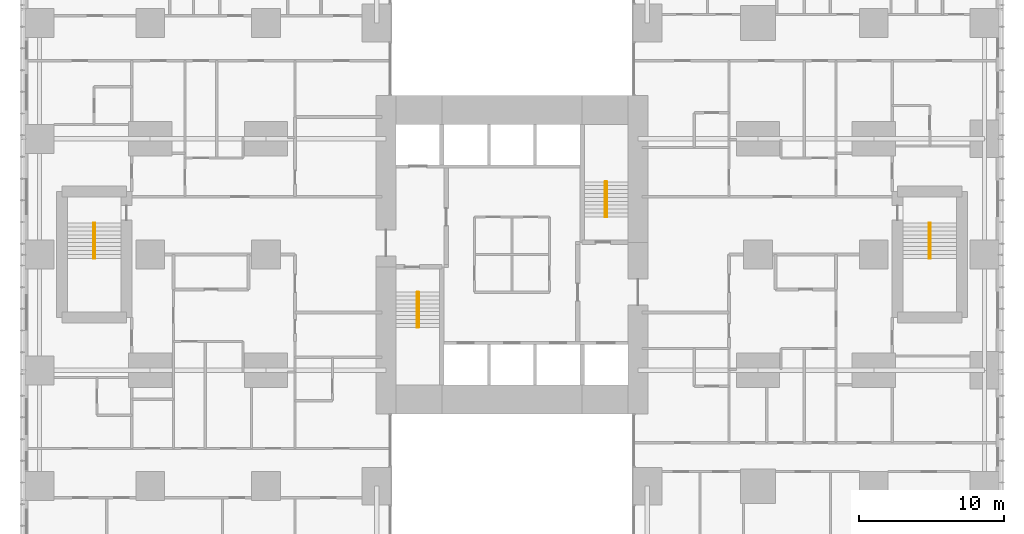
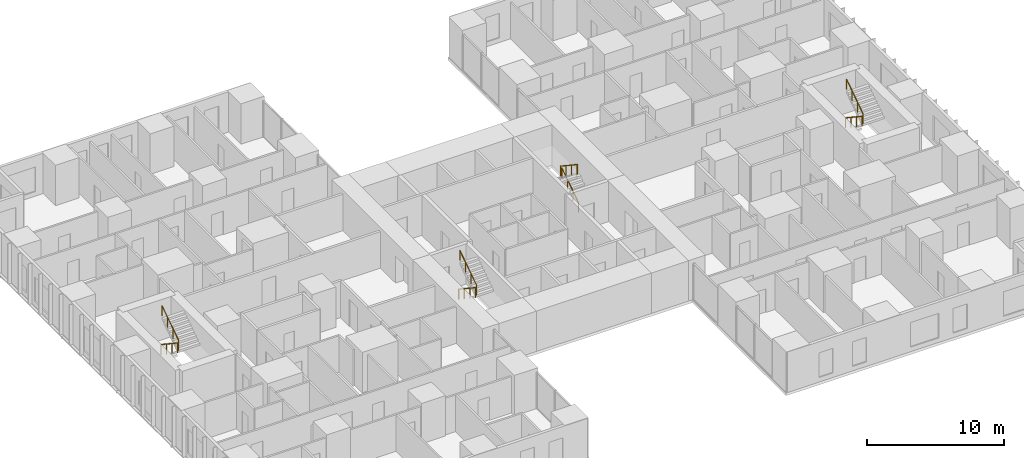
# One storey, part 20 of 20: 8 railings.
"""IFC4 building model written with IfcOpenShell, lengths in metres."""

from ifc_helpers import new_model, si_unit, direction, frame, origin, origin_2d, place, context, subcontext, project, spatial, circle, extrude, material, type_object, element, save


model = new_model("IFC4")

# Units and contexts
model_context = context("Model", 3, precision=1e-05, world=origin(), true_north=direction((0.0, 1.0)))
body_context = subcontext(model_context, "Body", "Model", "MODEL_VIEW")
ifc_project = project(units=[si_unit("LENGTHUNIT", "METRE"), si_unit("AREAUNIT", "SQUARE_METRE"), si_unit("VOLUMEUNIT", "CUBIC_METRE"), si_unit("PLANEANGLEUNIT", "RADIAN"), si_unit("MASSUNIT", "GRAM", prefix="KILO")], contexts=[model_context])

# Site, building, storey
site_placement = place(None, origin())
site = spatial("IfcSite", under=ifc_project, at=site_placement, CompositionType="ELEMENT")
building_placement = place(site_placement, origin())
building = spatial("IfcBuilding", under=site, at=building_placement, Name="Cleftline Residences", CompositionType="ELEMENT")
storey_placement = place(building_placement, frame((0.0, 0.0, 168.199951171875)))
storey = spatial("IfcBuildingStorey", under=building, at=storey_placement, Name="L44", CompositionType="ELEMENT", Elevation=168.199951171875)

# Railings
ifc_material = material(Name="Stainless steel", Category="steel")
railing_type = type_object("IfcRailingType", Name="HANDRAIL 900", PredefinedType="HANDRAIL", material=ifc_material)
railing_1_placement = place(storey_placement, frame((26.449951171875, 21.39990234375, 0.179931640625)))
element("IfcRailing", 1, at=railing_1_placement, inside=storey, type_object=railing_type, Name="Stair handrail", PredefinedType="HANDRAIL", context=body_context, shape_type="SweptSolid", body=[
    extrude(circle(Radius=0.02392578125, at=origin_2d()), frame((0.0, 0.0, 0.8759765625), z_axis=(0.0, -0.832024571796, 0.554738778101), x_axis=(1.0, 0.0, 0.0)), (0.0, 0.0, 1.0), 2.92041015625),
    extrude(circle(Radius=0.02099609375, at=origin_2d()), origin(), (0.0, 0.0, 1.0), 0.851806640625),
    extrude(circle(Radius=0.02099609375, at=origin_2d()), frame((0.0, -0.81005859375, 0.5400390625)), (0.0, 0.0, 1.0), 0.851806640625),
    extrude(circle(Radius=0.02099609375, at=origin_2d()), frame((0.0, -1.619873046875, 1.080078125)), (0.0, 0.0, 1.0), 0.851806640625),
    extrude(circle(Radius=0.02099609375, at=origin_2d()), frame((0.0, -2.429931640625, 1.6201171875)), (0.0, 0.0, 1.0), 0.851806640625),
])
for number, where, name in (
    (2, (26.550048828125, 18.969970703125, 1.97998046875), "Stair handrail"),
    (3, (39.550048828125, 26.60009765625, 0.179931640625), "Stair handrail"),
):
    element("IfcRailing", number, at=place(storey_placement, frame(where)), inside=storey, type_object=railing_type, Name=name, PredefinedType="HANDRAIL", context=body_context, shape_type="SweptSolid", body=[
        extrude(circle(Radius=0.02392578125, at=origin_2d()), frame((0.0, 0.0, 0.8759765625), z_axis=(0.0, 0.832024571796, 0.554738778101), x_axis=(-1.0, 0.0, 0.0)), (0.0, 0.0, 1.0), 2.92041015625),
        extrude(circle(Radius=0.02099609375, at=origin_2d()), origin(), (0.0, 0.0, 1.0), 0.851806640625),
        extrude(circle(Radius=0.02099609375, at=origin_2d()), frame((0.0, 0.81005859375, 0.5400390625)), (0.0, 0.0, 1.0), 0.851806640625),
        extrude(circle(Radius=0.02099609375, at=origin_2d()), frame((0.0, 1.619873046875, 1.080078125)), (0.0, 0.0, 1.0), 0.851806640625),
        extrude(circle(Radius=0.02099609375, at=origin_2d()), frame((0.0, 2.429931640625, 1.6201171875)), (0.0, 0.0, 1.0), 0.851806640625),
    ])
for number, where, name in (
    (4, (39.449951171875, 29.030029296875, 1.97998046875), "Stair handrail"),
    (5, (61.824951171875, 26.175048828125, 0.179931640625), "Stair handrail"),
):
    element("IfcRailing", number, at=place(storey_placement, frame(where)), inside=storey, type_object=railing_type, Name=name, PredefinedType="HANDRAIL", context=body_context, shape_type="SweptSolid", body=[
        extrude(circle(Radius=0.02392578125, at=origin_2d()), frame((0.0, 0.0, 0.8759765625), z_axis=(0.0, -0.832024571796, 0.554738778101), x_axis=(1.0, 0.0, 0.0)), (0.0, 0.0, 1.0), 2.92041015625),
        extrude(circle(Radius=0.02099609375, at=origin_2d()), origin(), (0.0, 0.0, 1.0), 0.851806640625),
        extrude(circle(Radius=0.02099609375, at=origin_2d()), frame((0.0, -0.81005859375, 0.5400390625)), (0.0, 0.0, 1.0), 0.851806640625),
        extrude(circle(Radius=0.02099609375, at=origin_2d()), frame((0.0, -1.619873046875, 1.080078125)), (0.0, 0.0, 1.0), 0.851806640625),
        extrude(circle(Radius=0.02099609375, at=origin_2d()), frame((0.0, -2.429931640625, 1.6201171875)), (0.0, 0.0, 1.0), 0.851806640625),
    ])
railing_2_placement = place(storey_placement, frame((61.925048828125, 23.7451171875, 1.97998046875)))
element("IfcRailing", 6, at=railing_2_placement, inside=storey, type_object=railing_type, Name="Stair handrail", PredefinedType="HANDRAIL", context=body_context, shape_type="SweptSolid", body=[
    extrude(circle(Radius=0.02392578125, at=origin_2d()), frame((0.0, 0.0, 0.8759765625), z_axis=(0.0, 0.832024571796, 0.554738778101), x_axis=(-1.0, 0.0, 0.0)), (0.0, 0.0, 1.0), 2.92041015625),
    extrude(circle(Radius=0.02099609375, at=origin_2d()), origin(), (0.0, 0.0, 1.0), 0.851806640625),
    extrude(circle(Radius=0.02099609375, at=origin_2d()), frame((0.0, 0.81005859375, 0.5400390625)), (0.0, 0.0, 1.0), 0.851806640625),
    extrude(circle(Radius=0.02099609375, at=origin_2d()), frame((0.0, 1.619873046875, 1.080078125)), (0.0, 0.0, 1.0), 0.851806640625),
    extrude(circle(Radius=0.02099609375, at=origin_2d()), frame((0.0, 2.429931640625, 1.6201171875)), (0.0, 0.0, 1.0), 0.851806640625),
])
railing_3_placement = place(storey_placement, frame((4.074951171875, 26.175048828125, 0.179931640625)))
element("IfcRailing", 7, at=railing_3_placement, inside=storey, type_object=railing_type, Name="Stair handrail", PredefinedType="HANDRAIL", context=body_context, shape_type="SweptSolid", body=[
    extrude(circle(Radius=0.02392578125, at=origin_2d()), frame((0.0, 0.0, 0.8759765625), z_axis=(0.0, -0.832024571796, 0.554738778101), x_axis=(1.0, 0.0, 0.0)), (0.0, 0.0, 1.0), 2.92041015625),
    extrude(circle(Radius=0.02099609375, at=origin_2d()), origin(), (0.0, 0.0, 1.0), 0.851806640625),
    extrude(circle(Radius=0.02099609375, at=origin_2d()), frame((0.0, -0.81005859375, 0.5400390625)), (0.0, 0.0, 1.0), 0.851806640625),
    extrude(circle(Radius=0.02099609375, at=origin_2d()), frame((0.0, -1.619873046875, 1.080078125)), (0.0, 0.0, 1.0), 0.851806640625),
    extrude(circle(Radius=0.02099609375, at=origin_2d()), frame((0.0, -2.429931640625, 1.6201171875)), (0.0, 0.0, 1.0), 0.851806640625),
])
railing_4_placement = place(storey_placement, frame((4.175048828125, 23.7451171875, 1.97998046875)))
element("IfcRailing", 8, at=railing_4_placement, inside=storey, type_object=railing_type, Name="Stair handrail", PredefinedType="HANDRAIL", context=body_context, shape_type="SweptSolid", body=[
    extrude(circle(Radius=0.02392578125, at=origin_2d()), frame((0.0, 0.0, 0.8759765625), z_axis=(0.0, 0.832024571796, 0.554738778101), x_axis=(-1.0, 0.0, 0.0)), (0.0, 0.0, 1.0), 2.92041015625),
    extrude(circle(Radius=0.02099609375, at=origin_2d()), origin(), (0.0, 0.0, 1.0), 0.851806640625),
    extrude(circle(Radius=0.02099609375, at=origin_2d()), frame((0.0, 0.81005859375, 0.5400390625)), (0.0, 0.0, 1.0), 0.851806640625),
    extrude(circle(Radius=0.02099609375, at=origin_2d()), frame((0.0, 1.619873046875, 1.080078125)), (0.0, 0.0, 1.0), 0.851806640625),
    extrude(circle(Radius=0.02099609375, at=origin_2d()), frame((0.0, 2.429931640625, 1.6201171875)), (0.0, 0.0, 1.0), 0.851806640625),
])

save(model, "model.ifc")
